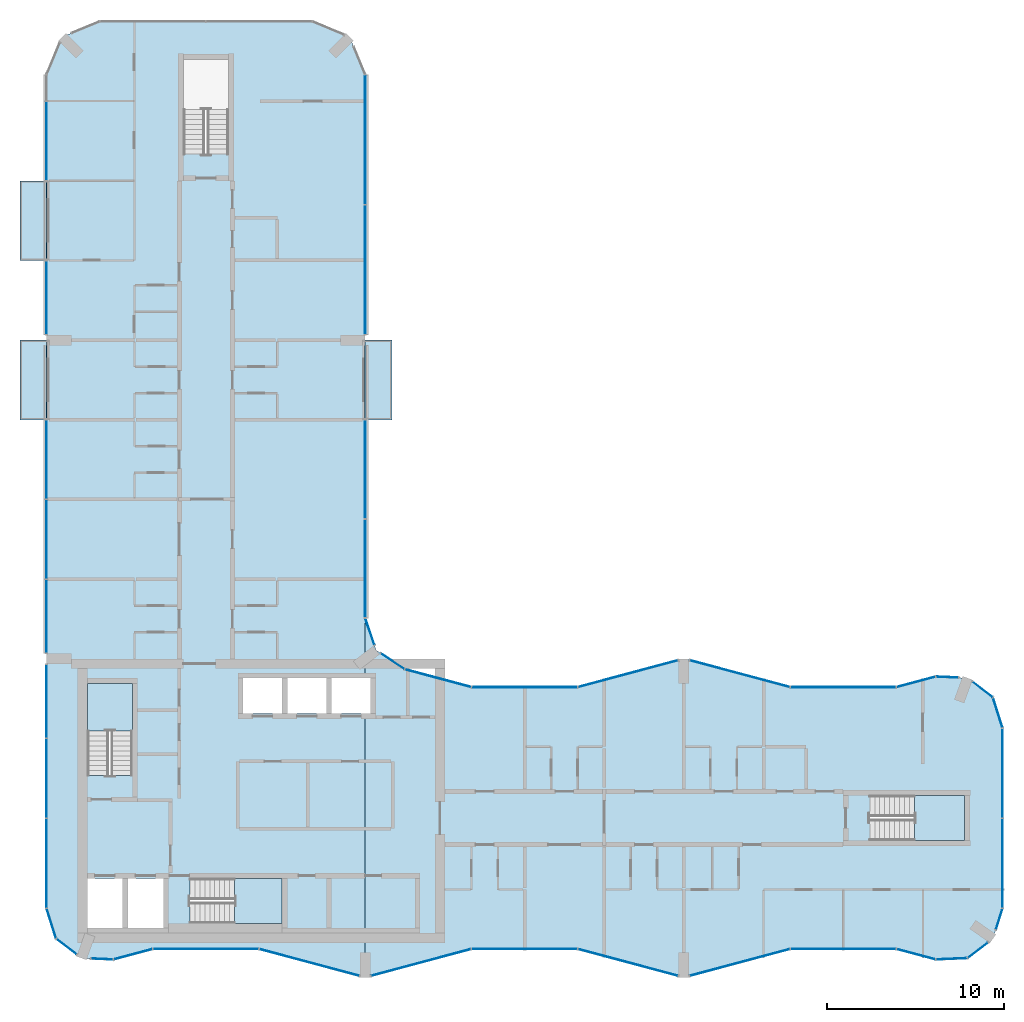
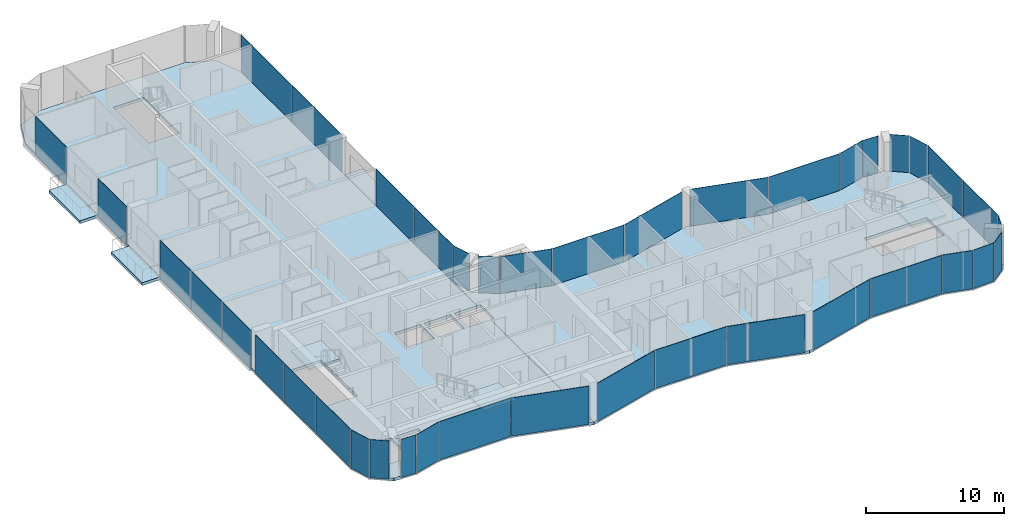
# One storey, part 8 of 15: 40 plates, 8 slabs, 36 elements without a shape of their own.
"""IFC4 building model written with IfcOpenShell, lengths in metres."""

from ifc_helpers import new_model, si_unit, direction, frame, origin, origin_2d, place, context, subcontext, project, spatial, polyline, rectangle, outline, extrude, material, layer, layer_set, type_object, element, aggregate, save


model = new_model("IFC4")

# Units and contexts
model_context = context("Model", 3, precision=1e-05, world=origin(), true_north=direction((0.0, 1.0)))
body_context = subcontext(model_context, "Body", "Model", "MODEL_VIEW")
ifc_project = project(units=[si_unit("LENGTHUNIT", "METRE"), si_unit("AREAUNIT", "SQUARE_METRE"), si_unit("VOLUMEUNIT", "CUBIC_METRE"), si_unit("PLANEANGLEUNIT", "RADIAN"), si_unit("MASSUNIT", "GRAM", prefix="KILO")], contexts=[model_context])

# Site, building, storey
site_placement = place(None, origin())
site = spatial("IfcSite", under=ifc_project, at=site_placement, CompositionType="ELEMENT")
building_placement = place(site_placement, origin())
building = spatial("IfcBuilding", under=site, at=building_placement, Name="Plateau Cross Towers", CompositionType="ELEMENT")
storey_placement = place(building_placement, frame((0.0, 0.0, 194.39990234375)))
storey = spatial("IfcBuildingStorey", under=building, at=storey_placement, Name="L50", CompositionType="ELEMENT", Elevation=194.39990234375)

# Slabs
ifc_material_1 = material(Name="Concrete C40/50", Category="concrete")
ifc_layer_1 = layer(ifc_material_1, 0.25)
ifc_layer_set_1 = layer_set([ifc_layer_1], Name="Concrete C40/50")
slab_type_1 = type_object("IfcSlabType", Name="Balcony slab 250", PredefinedType="FLOOR", material=ifc_layer_set_1)
slab_1_placement = place(storey_placement, frame((0.0, 0.0, -0.25)))
element("IfcSlab", 1, at=slab_1_placement, inside=storey, type_object=slab_type_1, Name="Balcony slab A-BAL-L50-01", PredefinedType="FLOOR", context=body_context, shape_type="SweptSolid", body=[
    extrude(outline(polyline([(0.0, 31.5), (0.0, 36.0), (-1.5, 36.0), (-1.5, 31.5), (0.0, 31.5)])), origin(), (0.0, 0.0, 1.0), 0.25),
])
slab_2_placement = place(storey_placement, frame((0.0, 0.0, -0.25)))
element("IfcSlab", 2, at=slab_2_placement, inside=storey, type_object=slab_type_1, Name="Balcony slab A-BAL-L50-02", PredefinedType="FLOOR", context=body_context, shape_type="SweptSolid", body=[
    extrude(outline(polyline([(0.0, 40.5), (0.0, 45.0), (-1.5, 45.0), (-1.5, 40.5), (0.0, 40.5)])), origin(), (0.0, 0.0, 1.0), 0.25),
])
slab_3_placement = place(storey_placement, frame((0.0, 0.0, -0.25)))
element("IfcSlab", 3, at=slab_3_placement, inside=storey, type_object=slab_type_1, Name="Balcony slab A-BAL-L50-03", PredefinedType="FLOOR", context=body_context, shape_type="SweptSolid", body=[
    extrude(outline(polyline([(19.5, 31.5), (19.5, 36.0), (18.0, 36.0), (18.0, 31.5), (19.5, 31.5)])), origin(), (0.0, 0.0, 1.0), 0.25),
])

# Curtain wall, plate
ifc_material_2 = material(Name="Dark low-iron glass", Category="glass")
ifc_layer_2 = layer(ifc_material_2, 0.239990234375)
ifc_layer_set_2 = layer_set([ifc_layer_2], Name="Dark low-iron glass")
curtain_wall_type_1 = type_object("IfcCurtainWallType", Name="Curtain wall flush unitised CW-B", PredefinedType="NOTDEFINED", material=ifc_layer_set_2)
curtain_wall_1_placement = place(storey_placement, origin())
curtain_wall_1 = element("IfcCurtainWall", 4, at=curtain_wall_1_placement, inside=storey, type_object=curtain_wall_type_1, Name="ENV/A/L50/A502_10", PredefinedType="NOTDEFINED")
ifc_layer_3 = layer(ifc_material_2, 0.031982421875)
ifc_layer_set_3 = layer_set([ifc_layer_3], Name="Dark low-iron glass")
plate_type_1 = type_object("IfcPlateType", Name="Glass panel 32 flush unitised", PredefinedType="CURTAIN_PANEL", material=ifc_layer_set_3)
plate_1_placement = place(storey_placement, frame((51.125, 1.05078125, -0.1298828125), z_axis=(0.0, 0.0, 1.0), x_axis=(0.999043701491, 0.043722791671, 0.0)))
plate_1 = element("IfcPlate", 5, at=plate_1_placement, type_object=plate_type_1, Name="CW-B panel 1", PredefinedType="CURTAIN_PANEL", context=body_context, shape_type="SweptSolid", body=[
    extrude(rectangle(XDim=1.744140625, YDim=0.031982421875, at=origin_2d()), origin(), (0.0, 0.0, 1.0), 3.3798828125),
])
aggregate(curtain_wall_1, [plate_1])

curtain_wall_2_placement = place(storey_placement, origin())
curtain_wall_2 = element("IfcCurtainWall", 6, at=curtain_wall_2_placement, inside=storey, type_object=curtain_wall_type_1, Name="ENV/A/L50/A520_11", PredefinedType="NOTDEFINED")
plate_2_placement = place(storey_placement, frame((52.60986328125, 1.5380859375, -0.1298828125), z_axis=(0.0, 0.0, 1.0), x_axis=(0.793315514529, 0.608810721331, 0.0)))
plate_2 = element("IfcPlate", 7, at=plate_2_placement, type_object=plate_type_1, Name="CW-B panel 1", PredefinedType="CURTAIN_PANEL", context=body_context, shape_type="SweptSolid", body=[
    extrude(rectangle(XDim=1.41162109375, YDim=0.031982421875, at=origin_2d()), origin(), (0.0, 0.0, 1.0), 3.3798828125),
])
aggregate(curtain_wall_2, [plate_2])

curtain_wall_3_placement = place(storey_placement, origin())
curtain_wall_3 = element("IfcCurtainWall", 8, at=curtain_wall_3_placement, inside=storey, type_object=curtain_wall_type_1, Name="ENV/A/L50/A536_27", PredefinedType="NOTDEFINED")
plate_3_placement = place(storey_placement, frame((53.805419921875, 3.292236328125, -0.1298828125), z_axis=(0.0, 0.0, 1.0), x_axis=(0.300686174994, 0.95372313811, 0.0)))
plate_3 = element("IfcPlate", 9, at=plate_3_placement, type_object=plate_type_1, Name="CW-B panel 1", PredefinedType="CURTAIN_PANEL", context=body_context, shape_type="SweptSolid", body=[
    extrude(rectangle(XDim=1.233642578125, YDim=0.031982421875, at=origin_2d()), origin(), (0.0, 0.0, 1.0), 3.3798828125),
])
aggregate(curtain_wall_3, [plate_3])

# Curtain wall, plates
curtain_wall_4_placement = place(storey_placement, origin())
curtain_wall_4 = element("IfcCurtainWall", 10, at=curtain_wall_4_placement, inside=storey, type_object=curtain_wall_type_1, Name="ENV/A/L50/A540_39", PredefinedType="NOTDEFINED")
plate_4_placement = place(storey_placement, frame((54.0, 6.45458984375, -0.1298828125), z_axis=(0.0, 0.0, 1.0), x_axis=(0.0, 1.0, 0.0)))
plate_4 = element("IfcPlate", 11, at=plate_4_placement, type_object=plate_type_1, Name="CW-B panel 1", PredefinedType="CURTAIN_PANEL", context=body_context, shape_type="SweptSolid", body=[
    extrude(rectangle(XDim=5.03076171875, YDim=0.031982421875, at=origin_2d()), origin(), (0.0, 0.0, 1.0), 3.3798828125),
])
plate_5_placement = place(storey_placement, frame((54.0, 11.54541015625, -0.1298828125), z_axis=(0.0, 0.0, 1.0), x_axis=(0.0, 1.0, 0.0)))
plate_5 = element("IfcPlate", 12, at=plate_5_placement, type_object=plate_type_1, Name="CW-B panel 2", PredefinedType="CURTAIN_PANEL", context=body_context, shape_type="SweptSolid", body=[
    extrude(rectangle(XDim=5.03076171875, YDim=0.031982421875, at=origin_2d()), origin(), (0.0, 0.0, 1.0), 3.3798828125),
])
aggregate(curtain_wall_4, [plate_4, plate_5])

# Curtain wall, plate
curtain_wall_5_placement = place(storey_placement, origin())
curtain_wall_5 = element("IfcCurtainWall", 13, at=curtain_wall_5_placement, inside=storey, type_object=curtain_wall_type_1, Name="ENV/A/L50/A540_141", PredefinedType="NOTDEFINED")
plate_6_placement = place(storey_placement, frame((53.728759765625, 14.951171875, -0.1298828125), z_axis=(0.0, 0.0, 1.0), x_axis=(-0.300686174994, 0.95372313811, 0.0)))
plate_6 = element("IfcPlate", 14, at=plate_6_placement, type_object=plate_type_1, Name="CW-B panel 1", PredefinedType="CURTAIN_PANEL", context=body_context, shape_type="SweptSolid", body=[
    extrude(rectangle(XDim=1.744140625, YDim=0.031982421875, at=origin_2d()), origin(), (0.0, 0.0, 1.0), 3.3798828125),
])
aggregate(curtain_wall_5, [plate_6])

curtain_wall_6_placement = place(storey_placement, origin())
curtain_wall_6 = element("IfcCurtainWall", 15, at=curtain_wall_6_placement, inside=storey, type_object=curtain_wall_type_1, Name="ENV/A/L50/A535_158", PredefinedType="NOTDEFINED")
plate_7_placement = place(storey_placement, frame((52.873779296875, 16.25927734375, -0.1298828125), z_axis=(0.0, 0.0, 1.0), x_axis=(-0.793315514529, 0.608810721331, 0.0)))
plate_7 = element("IfcPlate", 16, at=plate_7_placement, type_object=plate_type_1, Name="CW-B panel 1", PredefinedType="CURTAIN_PANEL", context=body_context, shape_type="SweptSolid", body=[
    extrude(rectangle(XDim=1.41162109375, YDim=0.031982421875, at=origin_2d()), origin(), (0.0, 0.0, 1.0), 3.3798828125),
])
aggregate(curtain_wall_6, [plate_7])

curtain_wall_7_placement = place(storey_placement, origin())
curtain_wall_7 = element("IfcCurtainWall", 17, at=curtain_wall_7_placement, inside=storey, type_object=curtain_wall_type_1, Name="ENV/A/L50/A515_169", PredefinedType="NOTDEFINED")
plate_8_placement = place(storey_placement, frame((50.8701171875, 16.96044921875, -0.1298828125), z_axis=(0.0, 0.0, 1.0), x_axis=(-0.999043701491, 0.043722791671, 0.0)))
plate_8 = element("IfcPlate", 18, at=plate_8_placement, type_object=plate_type_1, Name="CW-B panel 1", PredefinedType="CURTAIN_PANEL", context=body_context, shape_type="SweptSolid", body=[
    extrude(rectangle(XDim=1.233642578125, YDim=0.031982421875, at=origin_2d()), origin(), (0.0, 0.0, 1.0), 3.3798828125),
])
aggregate(curtain_wall_7, [plate_8])

curtain_wall_8_placement = place(storey_placement, origin())
curtain_wall_8 = element("IfcCurtainWall", 19, at=curtain_wall_8_placement, inside=storey, type_object=curtain_wall_type_1, Name="ENV/A/L50/A202_174", PredefinedType="NOTDEFINED")
plate_9_placement = place(storey_placement, frame((19.546630859375, 17.856689453125, -0.1298828125), z_axis=(0.0, 0.0, 1.0), x_axis=(-0.831521253329, 0.555492938984, 0.0)))
plate_9 = element("IfcPlate", 20, at=plate_9_placement, type_object=plate_type_1, Name="CW-B panel 1", PredefinedType="CURTAIN_PANEL", context=body_context, shape_type="SweptSolid", body=[
    extrude(rectangle(XDim=1.56884765625, YDim=0.031982421875, at=origin_2d()), origin(), (0.0, 0.0, 1.0), 3.3798828125),
])
aggregate(curtain_wall_8, [plate_9])

curtain_wall_9_placement = place(storey_placement, origin())
curtain_wall_9 = element("IfcCurtainWall", 21, at=curtain_wall_9_placement, inside=storey, type_object=curtain_wall_type_1, Name="ENV/A/L50/A185_188", PredefinedType="NOTDEFINED")
plate_10_placement = place(storey_placement, frame((18.26171875, 19.531005859375, -0.1298828125), z_axis=(0.0, 0.0, 1.0), x_axis=(-0.321469161574, 0.94692004845, 0.0)))
plate_10 = element("IfcPlate", 22, at=plate_10_placement, type_object=plate_type_1, Name="CW-B panel 1", PredefinedType="CURTAIN_PANEL", context=body_context, shape_type="SweptSolid", body=[
    extrude(rectangle(XDim=1.56884765625, YDim=0.031982421875, at=origin_2d()), origin(), (0.0, 0.0, 1.0), 3.3798828125),
])
aggregate(curtain_wall_9, [plate_10])

# Curtain wall, plates
curtain_wall_10_placement = place(storey_placement, origin())
curtain_wall_10 = element("IfcCurtainWall", 23, at=curtain_wall_10_placement, inside=storey, type_object=curtain_wall_type_1, Name="ENV/A/L50/A180_203", PredefinedType="NOTDEFINED")
plate_11_placement = place(storey_placement, frame((18.0, 23.09912109375, -0.1298828125), z_axis=(0.0, 0.0, 1.0), x_axis=(0.0, 1.0, 0.0)))
plate_11 = element("IfcPlate", 24, at=plate_11_placement, type_object=plate_type_1, Name="CW-B panel 1", PredefinedType="CURTAIN_PANEL", context=body_context, shape_type="SweptSolid", body=[
    extrude(rectangle(XDim=5.533935546875, YDim=0.031982421875, at=origin_2d()), origin(), (0.0, 0.0, 1.0), 3.3798828125),
])
plate_12_placement = place(storey_placement, frame((18.0, 28.693115234375, -0.1298828125), z_axis=(0.0, 0.0, 1.0), x_axis=(0.0, 1.0, 0.0)))
plate_12 = element("IfcPlate", 25, at=plate_12_placement, type_object=plate_type_1, Name="CW-B panel 2", PredefinedType="CURTAIN_PANEL", context=body_context, shape_type="SweptSolid", body=[
    extrude(rectangle(XDim=5.533935546875, YDim=0.031982421875, at=origin_2d()), origin(), (0.0, 0.0, 1.0), 3.3798828125),
])
aggregate(curtain_wall_10, [plate_11, plate_12])

curtain_wall_11_placement = place(storey_placement, origin())
curtain_wall_11 = element("IfcCurtainWall", 26, at=curtain_wall_11_placement, inside=storey, type_object=curtain_wall_type_1, Name="ENV/A/L50/A180_363", PredefinedType="NOTDEFINED")
plate_13_placement = place(storey_placement, frame((18.0, 39.97509765625, -0.1298828125), z_axis=(0.0, 0.0, 1.0), x_axis=(0.0, 1.0, 0.0)))
plate_13 = element("IfcPlate", 27, at=plate_13_placement, type_object=plate_type_1, Name="CW-B panel 1", PredefinedType="CURTAIN_PANEL", context=body_context, shape_type="SweptSolid", body=[
    extrude(rectangle(XDim=7.2900390625, YDim=0.031982421875, at=origin_2d()), origin(), (0.0, 0.0, 1.0), 3.3798828125),
])
plate_14_placement = place(storey_placement, frame((18.0, 47.324951171875, -0.1298828125), z_axis=(0.0, 0.0, 1.0), x_axis=(0.0, 1.0, 0.0)))
plate_14 = element("IfcPlate", 28, at=plate_14_placement, type_object=plate_type_1, Name="CW-B panel 2", PredefinedType="CURTAIN_PANEL", context=body_context, shape_type="SweptSolid", body=[
    extrude(rectangle(XDim=7.2900390625, YDim=0.031982421875, at=origin_2d()), origin(), (0.0, 0.0, 1.0), 3.3798828125),
])
aggregate(curtain_wall_11, [plate_13, plate_14])

# Curtain wall, plate
curtain_wall_12_placement = place(storey_placement, origin())
curtain_wall_12 = element("IfcCurtainWall", 29, at=curtain_wall_12_placement, inside=storey, type_object=curtain_wall_type_1, Name="ENV/A/L50/A0_510", PredefinedType="NOTDEFINED")
plate_15_placement = place(storey_placement, frame((0.0, 47.2548828125, -0.1298828125), z_axis=(0.0, 0.0, 1.0), x_axis=(0.0, -1.0, 0.0)))
plate_15 = element("IfcPlate", 30, at=plate_15_placement, type_object=plate_type_1, Name="CW-B panel 2", PredefinedType="CURTAIN_PANEL", context=body_context, shape_type="SweptSolid", body=[
    extrude(rectangle(XDim=4.429931640625, YDim=0.031982421875, at=origin_2d()), origin(), (0.0, 0.0, 1.0), 3.3798828125),
])
aggregate(curtain_wall_12, [plate_15])

curtain_wall_13_placement = place(storey_placement, origin())
curtain_wall_13 = element("IfcCurtainWall", 31, at=curtain_wall_13_placement, inside=storey, type_object=curtain_wall_type_1, Name="ENV/A/L50/A0_405", PredefinedType="NOTDEFINED")
plate_16_placement = place(storey_placement, frame((0.0, 38.39501953125, -0.1298828125), z_axis=(0.0, 0.0, 1.0), x_axis=(0.0, -1.0, 0.0)))
plate_16 = element("IfcPlate", 32, at=plate_16_placement, type_object=plate_type_1, Name="CW-B panel 1", PredefinedType="CURTAIN_PANEL", context=body_context, shape_type="SweptSolid", body=[
    extrude(rectangle(XDim=4.1298828125, YDim=0.031982421875, at=origin_2d()), origin(), (0.0, 0.0, 1.0), 3.3798828125),
])
aggregate(curtain_wall_13, [plate_16])

# Curtain wall, plates
curtain_wall_14_placement = place(storey_placement, origin())
curtain_wall_14 = element("IfcCurtainWall", 33, at=curtain_wall_14_placement, inside=storey, type_object=curtain_wall_type_1, Name="ENV/A/L50/A0_315", PredefinedType="NOTDEFINED")
plate_17_placement = place(storey_placement, frame((0.0, 29.2451171875, -0.1298828125), z_axis=(0.0, 0.0, 1.0), x_axis=(0.0, -1.0, 0.0)))
plate_17 = element("IfcPlate", 34, at=plate_17_placement, type_object=plate_type_1, Name="CW-B panel 1", PredefinedType="CURTAIN_PANEL", context=body_context, shape_type="SweptSolid", body=[
    extrude(rectangle(XDim=4.429931640625, YDim=0.031982421875, at=origin_2d()), origin(), (0.0, 0.0, 1.0), 3.3798828125),
])
plate_18_placement = place(storey_placement, frame((0.0, 24.75, -0.1298828125), z_axis=(0.0, 0.0, 1.0), x_axis=(0.0, -1.0, 0.0)))
plate_18 = element("IfcPlate", 35, at=plate_18_placement, type_object=plate_type_1, Name="CW-B panel 2", PredefinedType="CURTAIN_PANEL", context=body_context, shape_type="SweptSolid", body=[
    extrude(rectangle(XDim=4.43994140625, YDim=0.031982421875, at=origin_2d()), origin(), (0.0, 0.0, 1.0), 3.3798828125),
])
plate_19_placement = place(storey_placement, frame((0.0, 20.39990234375, -0.1298828125), z_axis=(0.0, 0.0, 1.0), x_axis=(0.0, -1.0, 0.0)))
plate_19 = element("IfcPlate", 36, at=plate_19_placement, type_object=plate_type_1, Name="CW-B panel 3", PredefinedType="CURTAIN_PANEL", context=body_context, shape_type="SweptSolid", body=[
    extrude(rectangle(XDim=4.139892578125, YDim=0.031982421875, at=origin_2d()), origin(), (0.0, 0.0, 1.0), 3.3798828125),
])
aggregate(curtain_wall_14, [plate_17, plate_18, plate_19])

curtain_wall_15_placement = place(storey_placement, origin())
curtain_wall_15 = element("IfcCurtainWall", 37, at=curtain_wall_15_placement, inside=storey, type_object=curtain_wall_type_1, Name="ENV/A/L50/A0_177", PredefinedType="NOTDEFINED")
plate_20_placement = place(storey_placement, frame((0.0, 15.60009765625, -0.1298828125), z_axis=(0.0, 0.0, 1.0), x_axis=(0.0, -1.0, 0.0)))
plate_20 = element("IfcPlate", 38, at=plate_20_placement, type_object=plate_type_1, Name="CW-B panel 1", PredefinedType="CURTAIN_PANEL", context=body_context, shape_type="SweptSolid", body=[
    extrude(rectangle(XDim=4.139892578125, YDim=0.031982421875, at=origin_2d()), origin(), (0.0, 0.0, 1.0), 3.3798828125),
])
plate_21_placement = place(storey_placement, frame((0.0, 11.25, -0.1298828125), z_axis=(0.0, 0.0, 1.0), x_axis=(0.0, -1.0, 0.0)))
plate_21 = element("IfcPlate", 39, at=plate_21_placement, type_object=plate_type_1, Name="CW-B panel 2", PredefinedType="CURTAIN_PANEL", context=body_context, shape_type="SweptSolid", body=[
    extrude(rectangle(XDim=4.43994140625, YDim=0.031982421875, at=origin_2d()), origin(), (0.0, 0.0, 1.0), 3.3798828125),
])
plate_22_placement = place(storey_placement, frame((0.0, 6.45458984375, -0.1298828125), z_axis=(0.0, 0.0, 1.0), x_axis=(0.0, -1.0, 0.0)))
plate_22 = element("IfcPlate", 40, at=plate_22_placement, type_object=plate_type_1, Name="CW-B panel 3", PredefinedType="CURTAIN_PANEL", context=body_context, shape_type="SweptSolid", body=[
    extrude(rectangle(XDim=5.03076171875, YDim=0.031982421875, at=origin_2d()), origin(), (0.0, 0.0, 1.0), 3.3798828125),
])
aggregate(curtain_wall_15, [plate_20, plate_21, plate_22])

# Curtain wall, plate
curtain_wall_16_placement = place(storey_placement, origin())
curtain_wall_16 = element("IfcCurtainWall", 41, at=curtain_wall_16_placement, inside=storey, type_object=curtain_wall_type_1, Name="ENV/A/L50/A0_39", PredefinedType="NOTDEFINED")
plate_23_placement = place(storey_placement, frame((0.271240234375, 3.048828125, -0.1298828125), z_axis=(0.0, 0.0, 1.0), x_axis=(0.300686174994, -0.95372313811, 0.0)))
plate_23 = element("IfcPlate", 42, at=plate_23_placement, type_object=plate_type_1, Name="CW-B panel 1", PredefinedType="CURTAIN_PANEL", context=body_context, shape_type="SweptSolid", body=[
    extrude(rectangle(XDim=1.744140625, YDim=0.031982421875, at=origin_2d()), origin(), (0.0, 0.0, 1.0), 3.3798828125),
])
aggregate(curtain_wall_16, [plate_23])

curtain_wall_17_placement = place(storey_placement, origin())
curtain_wall_17 = element("IfcCurtainWall", 43, at=curtain_wall_17_placement, inside=storey, type_object=curtain_wall_type_1, Name="ENV/A/L50/A5_22", PredefinedType="NOTDEFINED")
plate_24_placement = place(storey_placement, frame((1.126220703125, 1.74072265625, -0.1298828125), z_axis=(0.0, 0.0, 1.0), x_axis=(0.793315514529, -0.608810721331, 0.0)))
plate_24 = element("IfcPlate", 44, at=plate_24_placement, type_object=plate_type_1, Name="CW-B panel 1", PredefinedType="CURTAIN_PANEL", context=body_context, shape_type="SweptSolid", body=[
    extrude(rectangle(XDim=1.41162109375, YDim=0.031982421875, at=origin_2d()), origin(), (0.0, 0.0, 1.0), 3.3798828125),
])
aggregate(curtain_wall_17, [plate_24])

curtain_wall_18_placement = place(storey_placement, origin())
curtain_wall_18 = element("IfcCurtainWall", 45, at=curtain_wall_18_placement, inside=storey, type_object=curtain_wall_type_1, Name="ENV/A/L50/A25_11", PredefinedType="NOTDEFINED")
plate_25_placement = place(storey_placement, frame((3.1298828125, 1.03955078125, -0.1298828125), z_axis=(0.0, 0.0, 1.0), x_axis=(0.999043701491, -0.043722791671, 0.0)))
plate_25 = element("IfcPlate", 46, at=plate_25_placement, type_object=plate_type_1, Name="CW-B panel 1", PredefinedType="CURTAIN_PANEL", context=body_context, shape_type="SweptSolid", body=[
    extrude(rectangle(XDim=1.233642578125, YDim=0.031982421875, at=origin_2d()), origin(), (0.0, 0.0, 1.0), 3.3798828125),
])
aggregate(curtain_wall_18, [plate_25])

ifc_layer_4 = layer(ifc_material_2, 0.260009765625)
ifc_layer_set_4 = layer_set([ifc_layer_4], Name="Dark low-iron glass")
curtain_wall_type_2 = type_object("IfcCurtainWallType", Name="Curtain wall fluted unitised CW-A", PredefinedType="NOTDEFINED", material=ifc_layer_set_4)
curtain_wall_19_placement = place(storey_placement, origin())
curtain_wall_19 = element("IfcCurtainWall", 47, at=curtain_wall_19_placement, inside=storey, type_object=curtain_wall_type_2, Name="ENV/A/L50/A38_10", PredefinedType="NOTDEFINED")
ifc_layer_5 = layer(ifc_material_2, 0.035888671875)
ifc_layer_set_5 = layer_set([ifc_layer_5], Name="Dark low-iron glass")
plate_type_2 = type_object("IfcPlateType", Name="Glass panel 36 fluted unitised", PredefinedType="CURTAIN_PANEL", material=ifc_layer_set_5)
plate_26_placement = place(storey_placement, frame((4.887939453125, 1.30908203125, -0.1298828125), z_axis=(0.0, 0.0, 1.0), x_axis=(0.965957962328, 0.258699081978, 0.0)))
plate_26 = element("IfcPlate", 48, at=plate_26_placement, type_object=plate_type_2, Name="CW-A panel 1", PredefinedType="CURTAIN_PANEL", context=body_context, shape_type="SweptSolid", body=[
    extrude(rectangle(XDim=2.2421875, YDim=0.035888671875, at=origin_2d()), origin(), (0.0, 0.0, 1.0), 3.3798828125),
])
aggregate(curtain_wall_19, [plate_26])

curtain_wall_20_placement = place(storey_placement, origin())
curtain_wall_20 = element("IfcCurtainWall", 49, at=curtain_wall_20_placement, inside=storey, type_object=curtain_wall_type_2, Name="ENV/A/L50/A60_16", PredefinedType="NOTDEFINED")
plate_27_placement = place(storey_placement, frame((9.0, 1.60693359375, -0.1298828125), z_axis=(0.0, 0.0, 1.0), x_axis=(1.0, 0.0, 0.0)))
plate_27 = element("IfcPlate", 50, at=plate_27_placement, type_object=plate_type_2, Name="CW-A panel 1", PredefinedType="CURTAIN_PANEL", context=body_context, shape_type="SweptSolid", body=[
    extrude(rectangle(XDim=5.93994140625, YDim=0.035888671875, at=origin_2d()), origin(), (0.0, 0.0, 1.0), 3.3798828125),
])
aggregate(curtain_wall_20, [plate_27])

curtain_wall_21_placement = place(storey_placement, origin())
curtain_wall_21 = element("IfcCurtainWall", 51, at=curtain_wall_21_placement, inside=storey, type_object=curtain_wall_type_2, Name="ENV/A/L50/A120_16", PredefinedType="NOTDEFINED")
plate_28_placement = place(storey_placement, frame((14.841064453125, 0.845947265625, -0.1298828125), z_axis=(0.0, 0.0, 1.0), x_axis=(0.965957983404, -0.258699003279, 0.0)))
plate_28 = element("IfcPlate", 52, at=plate_28_placement, type_object=plate_type_2, Name="CW-A panel 1", PredefinedType="CURTAIN_PANEL", context=body_context, shape_type="SweptSolid", body=[
    extrude(rectangle(XDim=5.822265625, YDim=0.035888671875, at=origin_2d()), origin(), (0.0, 0.0, 1.0), 3.3798828125),
])
aggregate(curtain_wall_21, [plate_28])

curtain_wall_22_placement = place(storey_placement, origin())
curtain_wall_22 = element("IfcCurtainWall", 53, at=curtain_wall_22_placement, inside=storey, type_object=curtain_wall_type_2, Name="ENV/A/L50/A183_1", PredefinedType="NOTDEFINED")
plate_29_placement = place(storey_placement, frame((21.158935546875, 0.845947265625, -0.1298828125), z_axis=(0.0, 0.0, 1.0), x_axis=(0.965957983404, 0.258699003279, 0.0)))
plate_29 = element("IfcPlate", 54, at=plate_29_placement, type_object=plate_type_2, Name="CW-A panel 1", PredefinedType="CURTAIN_PANEL", context=body_context, shape_type="SweptSolid", body=[
    extrude(rectangle(XDim=5.822265625, YDim=0.035888671875, at=origin_2d()), origin(), (0.0, 0.0, 1.0), 3.3798828125),
])
aggregate(curtain_wall_22, [plate_29])

curtain_wall_23_placement = place(storey_placement, origin())
curtain_wall_23 = element("IfcCurtainWall", 55, at=curtain_wall_23_placement, inside=storey, type_object=curtain_wall_type_2, Name="ENV/A/L50/A240_16", PredefinedType="NOTDEFINED")
plate_30_placement = place(storey_placement, frame((27.0, 1.60693359375, -0.1298828125), z_axis=(0.0, 0.0, 1.0), x_axis=(1.0, 0.0, 0.0)))
plate_30 = element("IfcPlate", 56, at=plate_30_placement, type_object=plate_type_2, Name="CW-A panel 1", PredefinedType="CURTAIN_PANEL", context=body_context, shape_type="SweptSolid", body=[
    extrude(rectangle(XDim=5.93994140625, YDim=0.035888671875, at=origin_2d()), origin(), (0.0, 0.0, 1.0), 3.3798828125),
])
aggregate(curtain_wall_23, [plate_30])

curtain_wall_24_placement = place(storey_placement, origin())
curtain_wall_24 = element("IfcCurtainWall", 57, at=curtain_wall_24_placement, inside=storey, type_object=curtain_wall_type_2, Name="ENV/A/L50/A300_16", PredefinedType="NOTDEFINED")
plate_31_placement = place(storey_placement, frame((32.841064453125, 0.845947265625, -0.1298828125), z_axis=(0.0, 0.0, 1.0), x_axis=(0.965957983404, -0.258699003279, 0.0)))
plate_31 = element("IfcPlate", 58, at=plate_31_placement, type_object=plate_type_2, Name="CW-A panel 1", PredefinedType="CURTAIN_PANEL", context=body_context, shape_type="SweptSolid", body=[
    extrude(rectangle(XDim=5.822265625, YDim=0.035888671875, at=origin_2d()), origin(), (0.0, 0.0, 1.0), 3.3798828125),
])
aggregate(curtain_wall_24, [plate_31])

curtain_wall_25_placement = place(storey_placement, origin())
curtain_wall_25 = element("IfcCurtainWall", 59, at=curtain_wall_25_placement, inside=storey, type_object=curtain_wall_type_2, Name="ENV/A/L50/A363_1", PredefinedType="NOTDEFINED")
plate_32_placement = place(storey_placement, frame((39.158935546875, 0.845947265625, -0.1298828125), z_axis=(0.0, 0.0, 1.0), x_axis=(0.965957983404, 0.258699003279, 0.0)))
plate_32 = element("IfcPlate", 60, at=plate_32_placement, type_object=plate_type_2, Name="CW-A panel 1", PredefinedType="CURTAIN_PANEL", context=body_context, shape_type="SweptSolid", body=[
    extrude(rectangle(XDim=5.822265625, YDim=0.035888671875, at=origin_2d()), origin(), (0.0, 0.0, 1.0), 3.3798828125),
])
aggregate(curtain_wall_25, [plate_32])

curtain_wall_26_placement = place(storey_placement, origin())
curtain_wall_26 = element("IfcCurtainWall", 61, at=curtain_wall_26_placement, inside=storey, type_object=curtain_wall_type_2, Name="ENV/A/L50/A420_16", PredefinedType="NOTDEFINED")
plate_33_placement = place(storey_placement, frame((45.0, 1.60693359375, -0.1298828125), z_axis=(0.0, 0.0, 1.0), x_axis=(1.0, 0.0, 0.0)))
plate_33 = element("IfcPlate", 62, at=plate_33_placement, type_object=plate_type_2, Name="CW-A panel 1", PredefinedType="CURTAIN_PANEL", context=body_context, shape_type="SweptSolid", body=[
    extrude(rectangle(XDim=5.93994140625, YDim=0.035888671875, at=origin_2d()), origin(), (0.0, 0.0, 1.0), 3.3798828125),
])
aggregate(curtain_wall_26, [plate_33])

curtain_wall_27_placement = place(storey_placement, origin())
curtain_wall_27 = element("IfcCurtainWall", 63, at=curtain_wall_27_placement, inside=storey, type_object=curtain_wall_type_2, Name="ENV/A/L50/A480_16", PredefinedType="NOTDEFINED")
plate_34_placement = place(storey_placement, frame((49.112060546875, 1.30908203125, -0.1298828125), z_axis=(0.0, 0.0, 1.0), x_axis=(0.965957962328, -0.258699081978, 0.0)))
plate_34 = element("IfcPlate", 64, at=plate_34_placement, type_object=plate_type_2, Name="CW-A panel 1", PredefinedType="CURTAIN_PANEL", context=body_context, shape_type="SweptSolid", body=[
    extrude(rectangle(XDim=2.2421875, YDim=0.035888671875, at=origin_2d()), origin(), (0.0, 0.0, 1.0), 3.3798828125),
])
aggregate(curtain_wall_27, [plate_34])

curtain_wall_28_placement = place(storey_placement, origin())
curtain_wall_28 = element("IfcCurtainWall", 65, at=curtain_wall_28_placement, inside=storey, type_object=curtain_wall_type_2, Name="ENV/A/L50/A502_170", PredefinedType="NOTDEFINED")
plate_35_placement = place(storey_placement, frame((49.112060546875, 16.69091796875, -0.1298828125), z_axis=(0.0, 0.0, 1.0), x_axis=(-0.965957962328, -0.258699081978, 0.0)))
plate_35 = element("IfcPlate", 66, at=plate_35_placement, type_object=plate_type_2, Name="CW-A panel 1", PredefinedType="CURTAIN_PANEL", context=body_context, shape_type="SweptSolid", body=[
    extrude(rectangle(XDim=2.2421875, YDim=0.035888671875, at=origin_2d()), origin(), (0.0, 0.0, 1.0), 3.3798828125),
])
aggregate(curtain_wall_28, [plate_35])

curtain_wall_29_placement = place(storey_placement, origin())
curtain_wall_29 = element("IfcCurtainWall", 67, at=curtain_wall_29_placement, inside=storey, type_object=curtain_wall_type_2, Name="ENV/A/L50/A480_164", PredefinedType="NOTDEFINED")
plate_36_placement = place(storey_placement, frame((45.0, 16.39306640625, -0.1298828125), z_axis=(0.0, 0.0, 1.0), x_axis=(-1.0, 0.0, 0.0)))
plate_36 = element("IfcPlate", 68, at=plate_36_placement, type_object=plate_type_2, Name="CW-A panel 1", PredefinedType="CURTAIN_PANEL", context=body_context, shape_type="SweptSolid", body=[
    extrude(rectangle(XDim=5.93994140625, YDim=0.035888671875, at=origin_2d()), origin(), (0.0, 0.0, 1.0), 3.3798828125),
])
aggregate(curtain_wall_29, [plate_36])

curtain_wall_30_placement = place(storey_placement, origin())
curtain_wall_30 = element("IfcCurtainWall", 69, at=curtain_wall_30_placement, inside=storey, type_object=curtain_wall_type_2, Name="ENV/A/L50/A420_164", PredefinedType="NOTDEFINED")
plate_37_placement = place(storey_placement, frame((39.158935546875, 17.154052734375, -0.1298828125), z_axis=(0.0, 0.0, 1.0), x_axis=(-0.965957983404, 0.258699003279, 0.0)))
plate_37 = element("IfcPlate", 70, at=plate_37_placement, type_object=plate_type_2, Name="CW-A panel 1", PredefinedType="CURTAIN_PANEL", context=body_context, shape_type="SweptSolid", body=[
    extrude(rectangle(XDim=5.822265625, YDim=0.035888671875, at=origin_2d()), origin(), (0.0, 0.0, 1.0), 3.3798828125),
])
aggregate(curtain_wall_30, [plate_37])

curtain_wall_31_placement = place(storey_placement, origin())
curtain_wall_31 = element("IfcCurtainWall", 71, at=curtain_wall_31_placement, inside=storey, type_object=curtain_wall_type_2, Name="ENV/A/L50/A357_179", PredefinedType="NOTDEFINED")
plate_38_placement = place(storey_placement, frame((32.841064453125, 17.154052734375, -0.1298828125), z_axis=(0.0, 0.0, 1.0), x_axis=(-0.965957983404, -0.258699003279, 0.0)))
plate_38 = element("IfcPlate", 72, at=plate_38_placement, type_object=plate_type_2, Name="CW-A panel 1", PredefinedType="CURTAIN_PANEL", context=body_context, shape_type="SweptSolid", body=[
    extrude(rectangle(XDim=5.822265625, YDim=0.035888671875, at=origin_2d()), origin(), (0.0, 0.0, 1.0), 3.3798828125),
])
aggregate(curtain_wall_31, [plate_38])

curtain_wall_32_placement = place(storey_placement, origin())
curtain_wall_32 = element("IfcCurtainWall", 73, at=curtain_wall_32_placement, inside=storey, type_object=curtain_wall_type_2, Name="ENV/A/L50/A300_164", PredefinedType="NOTDEFINED")
plate_39_placement = place(storey_placement, frame((27.0, 16.39306640625, -0.1298828125), z_axis=(0.0, 0.0, 1.0), x_axis=(-1.0, 0.0, 0.0)))
plate_39 = element("IfcPlate", 74, at=plate_39_placement, type_object=plate_type_2, Name="CW-A panel 1", PredefinedType="CURTAIN_PANEL", context=body_context, shape_type="SweptSolid", body=[
    extrude(rectangle(XDim=5.93994140625, YDim=0.035888671875, at=origin_2d()), origin(), (0.0, 0.0, 1.0), 3.3798828125),
])
aggregate(curtain_wall_32, [plate_39])

curtain_wall_33_placement = place(storey_placement, origin())
curtain_wall_33 = element("IfcCurtainWall", 75, at=curtain_wall_33_placement, inside=storey, type_object=curtain_wall_type_2, Name="ENV/A/L50/A240_164", PredefinedType="NOTDEFINED")
plate_40_placement = place(storey_placement, frame((22.112060546875, 16.898681640625, -0.1298828125), z_axis=(0.0, 0.0, 1.0), x_axis=(-0.965957995816, 0.258698956933, 0.0)))
plate_40 = element("IfcPlate", 76, at=plate_40_placement, type_object=plate_type_2, Name="CW-A panel 1", PredefinedType="CURTAIN_PANEL", context=body_context, shape_type="SweptSolid", body=[
    extrude(rectangle(XDim=3.84912109375, YDim=0.035888671875, at=origin_2d()), origin(), (0.0, 0.0, 1.0), 3.3798828125),
])
aggregate(curtain_wall_33, [plate_40])

# Slabs
ifc_layer_6 = layer(ifc_material_1, 0.25)
ifc_layer_set_6 = layer_set([ifc_layer_6], Name="Concrete C40/50")
slab_type_2 = type_object("IfcSlabType", Name="Post-tensioned flat plate slab 250", PredefinedType="FLOOR", material=ifc_layer_set_6)
slab_4_placement = place(storey_placement, frame((0.0, 0.0, -0.25)))
element("IfcSlab", 77, at=slab_4_placement, inside=storey, type_object=slab_type_2, Name="SL-A-L50 1", PredefinedType="FLOOR", context=body_context, shape_type="SweptSolid", body=[
    extrude(outline(polyline([(0.54248046875, 2.1884765625), (0.0, 3.9091796875), (0.0, 51.0), (0.878662109375, 53.121337890625), (3.0, 54.0), (15.0, 54.0), (17.121337890625, 53.121337890625), (18.0, 51.0), (18.0, 20.30224609375), (18.0, 16.89990234375), (16.10009765625, 16.89990234375), (16.10009765625, 14.89990234375), (18.0, 14.89990234375), (18.0, 0.0), (12.0, 1.60693359375), (6.0, 1.60693359375), (3.776123046875, 1.01123046875), (1.9736328125, 1.090087890625), (0.54248046875, 2.1884765625)]), holes=[polyline([(2.300048828125, 5.60009765625), (2.300048828125, 2.800048828125), (4.300048828125, 2.800048828125), (4.300048828125, 5.60009765625), (2.300048828125, 5.60009765625)]), polyline([(4.60009765625, 5.60009765625), (4.60009765625, 2.800048828125), (6.60009765625, 2.800048828125), (6.60009765625, 5.60009765625), (4.60009765625, 5.60009765625)]), polyline([(8.10009765625, 5.60009765625), (8.10009765625, 3.050048828125), (13.300048828125, 3.050048828125), (13.300048828125, 5.60009765625), (8.10009765625, 5.60009765625)]), polyline([(2.300048828125, 11.39990234375), (4.85009765625, 11.39990234375), (4.85009765625, 16.60009765625), (2.300048828125, 16.60009765625), (2.300048828125, 11.39990234375)]), polyline([(11.10009765625, 16.89990234375), (11.10009765625, 14.89990234375), (13.300048828125, 14.89990234375), (13.300048828125, 16.89990234375), (11.10009765625, 16.89990234375)]), polyline([(13.60009765625, 16.89990234375), (13.60009765625, 14.89990234375), (15.800048828125, 14.89990234375), (15.800048828125, 16.89990234375), (13.60009765625, 16.89990234375)]), polyline([(7.72509765625, 51.699951171875), (7.72509765625, 46.5), (10.27490234375, 46.5), (10.27490234375, 51.699951171875), (7.72509765625, 51.699951171875)])]), origin(), (0.0, 0.0, 1.0), 0.25),
])
slab_5_placement = place(storey_placement, frame((0.0, 0.0, -0.25)))
element("IfcSlab", 78, at=slab_5_placement, inside=storey, type_object=slab_type_2, Name="SL-A-L50 2", PredefinedType="FLOOR", context=body_context, shape_type="SweptSolid", body=[
    extrude(outline(polyline([(18.6201171875, 18.475830078125), (20.223876953125, 17.404296875), (24.0, 16.39306640625), (30.0, 16.39306640625), (36.0, 18.0), (42.0, 16.39306640625), (48.0, 16.39306640625), (50.223876953125, 16.98876953125), (52.0263671875, 16.909912109375), (53.45751953125, 15.8115234375), (54.0, 14.0908203125), (54.0, 3.9091796875), (53.45751953125, 2.1884765625), (52.0263671875, 1.090087890625), (50.223876953125, 1.01123046875), (48.0, 1.60693359375), (42.0, 1.60693359375), (36.0, 0.0), (30.0, 1.60693359375), (24.0, 1.60693359375), (18.0, 0.0), (18.0, 14.89990234375), (18.300048828125, 14.89990234375), (18.300048828125, 16.89990234375), (18.0, 16.89990234375), (18.0, 20.30224609375), (18.6201171875, 18.475830078125)]), holes=[polyline([(46.5, 10.27490234375), (46.5, 7.72509765625), (51.699951171875, 7.72509765625), (51.699951171875, 10.27490234375), (46.5, 10.27490234375)])]), origin(), (0.0, 0.0, 1.0), 0.25),
])

# Stair, slab
stair_type = type_object("IfcStairType", Name="ST-TWR", PredefinedType="HALF_TURN_STAIR", material=ifc_material_1)
stair_1_placement = place(storey_placement, origin())
stair_1 = element("IfcStair", 79, at=stair_1_placement, inside=storey, type_object=stair_type, Name="L50 Protected Exit Stair ST-1", PredefinedType="HALF_TURN_STAIR")
ifc_layer_7 = layer(ifc_material_1, 0.199951171875)
ifc_layer_set_7 = layer_set([ifc_layer_7], Name="Concrete C40/50")
slab_type_3 = type_object("IfcSlabType", Name="SL-LANDING", PredefinedType="LANDING", material=ifc_layer_set_7)
slab_6_placement = place(storey_placement, frame((0.0, 0.0, 1.550048828125)))
slab_6 = element("IfcSlab", 80, at=slab_6_placement, type_object=slab_type_3, Name="ST-1 landing 1", PredefinedType="LANDING", context=body_context, shape_type="SweptSolid", body=[
    extrude(outline(polyline([(4.85009765625, 13.919921875), (4.85009765625, 16.60009765625), (2.300048828125, 16.60009765625), (2.300048828125, 13.919921875), (4.85009765625, 13.919921875)])), origin(), (0.0, 0.0, 1.0), 0.199951171875),
])
aggregate(stair_1, [slab_6])

stair_2_placement = place(storey_placement, origin())
stair_2 = element("IfcStair", 81, at=stair_2_placement, inside=storey, type_object=stair_type, Name="L50 Protected Exit Stair ST-2", PredefinedType="HALF_TURN_STAIR")
slab_7_placement = place(storey_placement, frame((0.0, 0.0, 1.550048828125)))
slab_7 = element("IfcSlab", 82, at=slab_7_placement, type_object=slab_type_3, Name="ST-2 landing 1", PredefinedType="LANDING", context=body_context, shape_type="SweptSolid", body=[
    extrude(outline(polyline([(10.6201171875, 3.050048828125), (13.300048828125, 3.050048828125), (13.300048828125, 5.60009765625), (10.6201171875, 5.60009765625), (10.6201171875, 3.050048828125)])), origin(), (0.0, 0.0, 1.0), 0.199951171875),
])
aggregate(stair_2, [slab_7])

stair_3_placement = place(storey_placement, origin())
stair_3 = element("IfcStair", 83, at=stair_3_placement, inside=storey, type_object=stair_type, Name="L50 Protected Exit Stair E", PredefinedType="HALF_TURN_STAIR")
slab_8_placement = place(storey_placement, frame((0.0, 0.0, 1.550048828125)))
slab_8 = element("IfcSlab", 84, at=slab_8_placement, type_object=slab_type_3, Name="ES-E landing 1", PredefinedType="LANDING", context=body_context, shape_type="SweptSolid", body=[
    extrude(outline(polyline([(49.02001953125, 7.72509765625), (51.85009765625, 7.72509765625), (51.85009765625, 10.27490234375), (49.02001953125, 10.27490234375), (49.02001953125, 7.72509765625)])), origin(), (0.0, 0.0, 1.0), 0.199951171875),
])
aggregate(stair_3, [slab_8])

save(model, "model.ifc")
